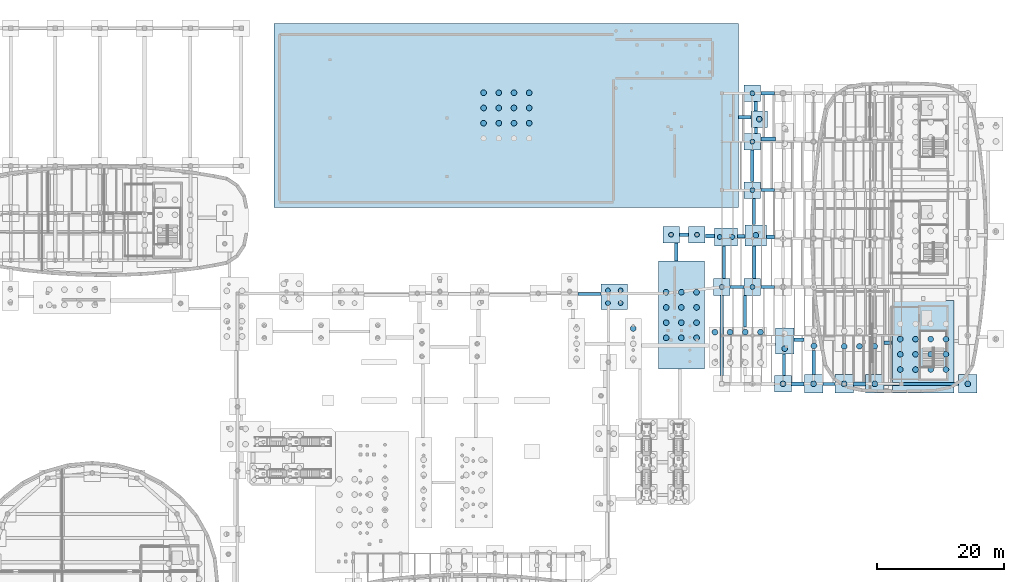
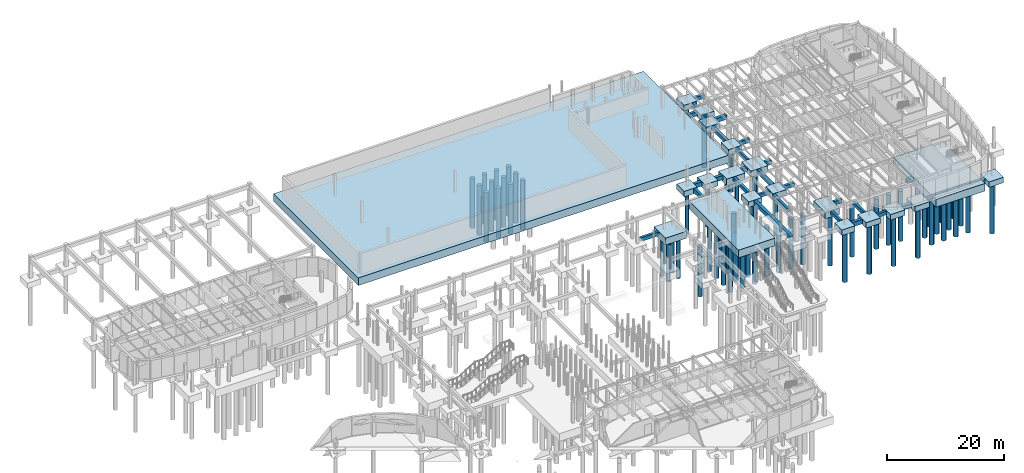
# One storey, part 6 of 45: 66 piles, 48 footings.
"""IFC4 building model written with IfcOpenShell, lengths in metres."""

from ifc_helpers import new_model, si_unit, direction, frame, origin, origin_2d, place, context, subcontext, project, spatial, rectangle, circle, extrude, material, material_profile, profile_set, type_object, element, save


model = new_model("IFC4")

# Units and contexts
model_context = context("Model", 3, precision=1e-05, world=origin(), true_north=direction((0.0, 1.0)))
body_context = subcontext(model_context, "Body", "Model", "MODEL_VIEW")
ifc_project = project(units=[si_unit("LENGTHUNIT", "METRE"), si_unit("AREAUNIT", "SQUARE_METRE"), si_unit("VOLUMEUNIT", "CUBIC_METRE"), si_unit("PLANEANGLEUNIT", "RADIAN"), si_unit("MASSUNIT", "GRAM", prefix="KILO")], contexts=[model_context])

# Site, building, storey
site_placement = place(None, origin())
site = spatial("IfcSite", under=ifc_project, at=site_placement, CompositionType="ELEMENT")
building_placement = place(site_placement, origin())
building = spatial("IfcBuilding", under=site, at=building_placement, Name="Corveleigh Park Community Centre", CompositionType="ELEMENT")
storey_placement = place(building_placement, frame((0.0, 0.0, -4.199951171875)))
storey = spatial("IfcBuildingStorey", under=building, at=storey_placement, Name="B1", CompositionType="ELEMENT", Elevation=-4.199951171875)

# Footings
ifc_material_1 = material(Name="Concrete C40/50", Category="concrete")
footing_type_1 = type_object("IfcFootingType", Name="FTG-GB-450x750", PredefinedType="FOOTING_BEAM", material=ifc_material_1)
footing_1_placement = place(storey_placement, frame((132.199951171875, 73.800048828125, -1.1650390625), z_axis=(0.0, 0.0, 1.0), x_axis=(1.0, 0.0, 0.0)))
element("IfcFooting", 1, at=footing_1_placement, inside=storey, type_object=footing_type_1, Name="Ground tie beam 153", PredefinedType="FOOTING_BEAM", context=body_context, shape_type="SweptSolid", body=[
    extrude(rectangle(XDim=2.159912109375, YDim=0.449951171875, at=origin_2d()), origin(), (0.0, 0.0, 1.0), 0.75),
])
footing_2_placement = place(storey_placement, frame((134.867919921875, 85.625, -1.1650390625), z_axis=(0.0, 0.0, 1.0), x_axis=(1.0, 0.0, 0.0)))
element("IfcFooting", 2, at=footing_2_placement, inside=storey, type_object=footing_type_1, Name="Ground tie beam 161", PredefinedType="FOOTING_BEAM", context=body_context, shape_type="SweptSolid", body=[
    extrude(rectangle(XDim=0.449951171875, YDim=4.110107421875, at=origin_2d()), origin(), (0.0, 0.0, 1.0), 0.75),
])
footing_3_placement = place(storey_placement, frame((135.136962890625, 98.367919921875, -1.1650390625), z_axis=(0.0, 0.0, 1.0), x_axis=(1.0, 0.0, 0.0)))
element("IfcFooting", 3, at=footing_3_placement, inside=storey, type_object=footing_type_1, Name="Ground tie beam 165", PredefinedType="FOOTING_BEAM", context=body_context, shape_type="SweptSolid", body=[
    extrude(rectangle(XDim=0.449951171875, YDim=0.89599609375, at=origin_2d()), origin(), (0.0, 0.0, 1.0), 0.75),
])
footing_4_placement = place(storey_placement, frame((139.535888671875, 61.5869140625, -1.1650390625), z_axis=(0.0, 0.0, 1.0), x_axis=(1.0, 0.0, 0.0)))
element("IfcFooting", 4, at=footing_4_placement, inside=storey, type_object=footing_type_1, Name="Ground tie beam 169", PredefinedType="FOOTING_BEAM", context=body_context, shape_type="SweptSolid", body=[
    extrude(rectangle(XDim=0.449951171875, YDim=3.333984375, at=origin_2d()), origin(), (0.0, 0.0, 1.0), 0.75),
])
footing_5_placement = place(storey_placement, frame((146.60009765625, 58.60009765625, -1.1650390625), z_axis=(0.0, 0.0, 1.0), x_axis=(1.0, 0.0, 0.0)))
element("IfcFooting", 5, at=footing_5_placement, inside=storey, type_object=footing_type_1, Name="Ground tie beam 181", PredefinedType="FOOTING_BEAM", context=body_context, shape_type="SweptSolid", body=[
    extrude(rectangle(XDim=1.860107421875, YDim=0.449951171875, at=origin_2d()), origin(), (0.0, 0.0, 1.0), 0.75),
])
footing_6_placement = place(storey_placement, frame((161.10009765625, 58.60009765625, -1.1650390625), z_axis=(0.0, 0.0, 1.0), x_axis=(1.0, 0.0, 0.0)))
element("IfcFooting", 6, at=footing_6_placement, inside=storey, type_object=footing_type_1, Name="Ground tie beam 205", PredefinedType="FOOTING_BEAM", context=body_context, shape_type="SweptSolid", body=[
    extrude(rectangle(XDim=11.659912109375, YDim=0.449951171875, at=origin_2d()), origin(), (0.0, 0.0, 1.0), 0.75),
])
footing_type_2 = type_object("IfcFootingType", Name="FTG-GB-500x800", PredefinedType="FOOTING_BEAM", material=ifc_material_1)
footing_7_placement = place(storey_placement, frame((109.033935546875, 72.68505859375, -1.21484375), z_axis=(0.0, 0.0, 1.0), x_axis=(1.0, 0.0, 0.0)))
element("IfcFooting", 7, at=footing_7_placement, inside=storey, type_object=footing_type_2, Name="Ground tie beam 126", PredefinedType="FOOTING_BEAM", context=body_context, shape_type="SweptSolid", body=[
    extrude(rectangle(XDim=3.591064453125, YDim=0.5, at=origin_2d()), origin(), (0.0, 0.0, 1.0), 0.800048828125),
])
footing_8_placement = place(storey_placement, frame((133.445068359375, 70.0, -1.21484375), z_axis=(0.0, 0.0, 1.0), x_axis=(1.0, 0.0, 0.0)))
element("IfcFooting", 8, at=footing_8_placement, inside=storey, type_object=footing_type_2, Name="Ground tie beam 150", PredefinedType="FOOTING_BEAM", context=body_context, shape_type="SweptSolid", body=[
    extrude(rectangle(XDim=0.5, YDim=4.9599609375, at=origin_2d()), origin(), (0.0, 0.0, 1.0), 0.800048828125),
])
footing_9_placement = place(storey_placement, frame((130.132080078125, 77.675048828125, -1.21484375), z_axis=(0.0, 0.0, 1.0), x_axis=(1.0, 0.0, 0.0)))
element("IfcFooting", 9, at=footing_9_placement, inside=storey, type_object=footing_type_2, Name="Ground tie beam 154", PredefinedType="FOOTING_BEAM", context=body_context, shape_type="SweptSolid", body=[
    extrude(rectangle(XDim=0.5, YDim=5.110107421875, at=origin_2d()), origin(), (0.0, 0.0, 1.0), 0.800048828125),
])
for number, where, z_axis, x_axis, name in (
    (10, (137.0, 73.800048828125, -1.21484375), (0.0, 0.0, 1.0), (1.0, 0.0, 0.0), "Ground tie beam 158"),
    (11, (137.0, 89.0, -1.21484375), (0.0, 0.0, 1.0), (1.0, 0.0, 0.0), "Ground tie beam 162"),
    (12, (137.0, 104.199951171875, -1.21484375), (0.0, 0.0, 1.0), (1.0, 0.0, 0.0), "Ground tie beam 166"),
):
    element("IfcFooting", number, at=place(storey_placement, frame(where, z_axis=z_axis, x_axis=x_axis)), inside=storey, type_object=footing_type_2, Name=name, PredefinedType="FOOTING_BEAM", context=body_context, shape_type="SweptSolid", body=[
        extrude(rectangle(XDim=2.159912109375, YDim=0.5, at=origin_2d()), origin(), (0.0, 0.0, 1.0), 0.800048828125),
    ])
footing_10_placement = place(storey_placement, frame((141.9208984375, 65.52392578125, -1.21484375), z_axis=(0.0, 0.0, 1.0), x_axis=(1.0, 0.0, 0.0)))
element("IfcFooting", 13, at=footing_10_placement, inside=storey, type_object=footing_type_2, Name="Ground tie beam 170", PredefinedType="FOOTING_BEAM", context=body_context, shape_type="SweptSolid", body=[
    extrude(rectangle(XDim=1.617919921875, YDim=0.5, at=origin_2d()), origin(), (0.0, 0.0, 1.0), 0.800048828125),
])
footing_11_placement = place(storey_placement, frame((144.23193359375, 61.93701171875, -1.21484375), z_axis=(0.0, 0.0, 1.0), x_axis=(1.0, 0.0, 0.0)))
element("IfcFooting", 14, at=footing_11_placement, inside=storey, type_object=footing_type_2, Name="Ground tie beam 182", PredefinedType="FOOTING_BEAM", context=body_context, shape_type="SweptSolid", body=[
    extrude(rectangle(XDim=0.5, YDim=3.73291015625, at=origin_2d()), origin(), (0.0, 0.0, 1.0), 0.800048828125),
])
footing_12_placement = place(storey_placement, frame((155.89990234375, 65.048095703125, -1.21484375), z_axis=(0.0, 0.0, 1.0), x_axis=(1.0, 0.0, 0.0)))
element("IfcFooting", 15, at=footing_12_placement, inside=storey, type_object=footing_type_2, Name="Ground tie beam 198", PredefinedType="FOOTING_BEAM", context=body_context, shape_type="SweptSolid", body=[
    extrude(rectangle(XDim=1.259033203125, YDim=0.5, at=origin_2d()), origin(), (0.0, 0.0, 1.0), 0.800048828125),
])
footing_type_3 = type_object("IfcFootingType", Name="FTG-GB-550x850", PredefinedType="FOOTING_BEAM", material=ifc_material_1)
footing_13_placement = place(storey_placement, frame((133.40087890625, 100.41796875, -1.26513671875), z_axis=(0.0, 0.0, 1.0), x_axis=(1.0, 0.0, 0.0)))
element("IfcFooting", 16, at=footing_13_placement, inside=storey, type_object=footing_type_3, Name="Ground tie beam 75", PredefinedType="FOOTING_BEAM", context=body_context, shape_type="SweptSolid", body=[
    extrude(rectangle(XDim=1.905029296875, YDim=0.550048828125, at=origin_2d()), origin(), (0.0, 0.0, 1.0), 0.85009765625),
])
footing_14_placement = place(storey_placement, frame((122.64208984375, 79.27587890625, -1.26513671875), z_axis=(0.0, 0.0, 1.0), x_axis=(1.0, 0.0, 0.0)))
element("IfcFooting", 17, at=footing_14_placement, inside=storey, type_object=footing_type_3, Name="Ground tie beam 143", PredefinedType="FOOTING_BEAM", context=body_context, shape_type="SweptSolid", body=[
    extrude(rectangle(XDim=0.550048828125, YDim=2.81103515625, at=origin_2d()), origin(), (0.0, 0.0, 1.0), 0.85009765625),
])
footing_15_placement = place(storey_placement, frame((132.864013671875, 81.77490234375, -1.26513671875), z_axis=(0.0, 0.0, 1.0), x_axis=(1.0, 0.0, 0.0)))
element("IfcFooting", 18, at=footing_15_placement, inside=storey, type_object=footing_type_3, Name="Ground tie beam 155", PredefinedType="FOOTING_BEAM", context=body_context, shape_type="SweptSolid", body=[
    extrude(rectangle(XDim=1.131103515625, YDim=0.550048828125, at=origin_2d()), origin(), (0.0, 0.0, 1.0), 0.85009765625),
])
footing_16_placement = place(storey_placement, frame((134.867919921875, 77.675048828125, -1.26513671875), z_axis=(0.0, 0.0, 1.0), x_axis=(1.0, 0.0, 0.0)))
element("IfcFooting", 19, at=footing_16_placement, inside=storey, type_object=footing_type_3, Name="Ground tie beam 159", PredefinedType="FOOTING_BEAM", context=body_context, shape_type="SweptSolid", body=[
    extrude(rectangle(XDim=0.550048828125, YDim=5.110107421875, at=origin_2d()), origin(), (0.0, 0.0, 1.0), 0.85009765625),
])
footing_17_placement = place(storey_placement, frame((134.60009765625, 92.800048828125, -1.26513671875), z_axis=(0.0, 0.0, 1.0), x_axis=(1.0, 0.0, 0.0)))
element("IfcFooting", 20, at=footing_17_placement, inside=storey, type_object=footing_type_3, Name="Ground tie beam 163", PredefinedType="FOOTING_BEAM", context=body_context, shape_type="SweptSolid", body=[
    extrude(rectangle(XDim=0.550048828125, YDim=4.9599609375, at=origin_2d()), origin(), (0.0, 0.0, 1.0), 0.85009765625),
])
footing_18_placement = place(storey_placement, frame((135.136962890625, 102.16796875, -1.26513671875), z_axis=(0.0, 0.0, 1.0), x_axis=(1.0, 0.0, 0.0)))
element("IfcFooting", 21, at=footing_18_placement, inside=storey, type_object=footing_type_3, Name="Ground tie beam 167", PredefinedType="FOOTING_BEAM", context=body_context, shape_type="SweptSolid", body=[
    extrude(rectangle(XDim=0.550048828125, YDim=1.424072265625, at=origin_2d()), origin(), (0.0, 0.0, 1.0), 0.85009765625),
])
footing_type_4 = type_object("IfcFootingType", Name="FTG-GB-600x900", PredefinedType="FOOTING_BEAM", material=ifc_material_1)
footing_19_placement = place(storey_placement, frame((123.865966796875, 82.0009765625, -1.31494140625), z_axis=(0.0, 0.0, 1.0), x_axis=(1.0, 0.0, 0.0)))
element("IfcFooting", 22, at=footing_19_placement, inside=storey, type_object=footing_type_4, Name="Ground tie beam 144", PredefinedType="FOOTING_BEAM", context=body_context, shape_type="SweptSolid", body=[
    extrude(rectangle(XDim=1.419921875, YDim=0.60009765625, at=origin_2d()), origin(), (0.0, 0.0, 1.0), 0.89990234375),
])
footing_20_placement = place(storey_placement, frame((127.923095703125, 81.825927734375, -1.31494140625), z_axis=(0.0, 0.0, 1.0), x_axis=(1.0, 0.0, 0.0)))
element("IfcFooting", 23, at=footing_20_placement, inside=storey, type_object=footing_type_4, Name="Ground tie beam 148", PredefinedType="FOOTING_BEAM", context=body_context, shape_type="SweptSolid", body=[
    extrude(rectangle(XDim=1.4130859375, YDim=0.60009765625, at=origin_2d()), origin(), (0.0, 0.0, 1.0), 0.89990234375),
])
footing_21_placement = place(storey_placement, frame((129.800048828125, 66.199951171875, -1.31494140625), z_axis=(0.0, 0.0, 1.0), x_axis=(1.0, 0.0, 0.0)))
element("IfcFooting", 24, at=footing_21_placement, inside=storey, type_object=footing_type_4, Name="Ground tie beam 152", PredefinedType="FOOTING_BEAM", context=body_context, shape_type="SweptSolid", body=[
    extrude(rectangle(XDim=0.60009765625, YDim=12.56005859375, at=origin_2d()), origin(), (0.0, 0.0, 1.0), 0.89990234375),
])
footing_22_placement = place(storey_placement, frame((137.4619140625, 81.64990234375, -1.31494140625), z_axis=(0.0, 0.0, 1.0), x_axis=(1.0, 0.0, 0.0)))
element("IfcFooting", 25, at=footing_22_placement, inside=storey, type_object=footing_type_4, Name="Ground tie beam 160", PredefinedType="FOOTING_BEAM", context=body_context, shape_type="SweptSolid", body=[
    extrude(rectangle(XDim=1.236083984375, YDim=0.60009765625, at=origin_2d()), origin(), (0.0, 0.0, 1.0), 0.89990234375),
])
footing_23_placement = place(storey_placement, frame((137.074951171875, 97.0439453125, -1.31494140625), z_axis=(0.0, 0.0, 1.0), x_axis=(1.0, 0.0, 0.0)))
element("IfcFooting", 26, at=footing_23_placement, inside=storey, type_object=footing_type_4, Name="Ground tie beam 164", PredefinedType="FOOTING_BEAM", context=body_context, shape_type="SweptSolid", body=[
    extrude(rectangle(XDim=2.31005859375, YDim=0.60009765625, at=origin_2d()), origin(), (0.0, 0.0, 1.0), 0.89990234375),
])
footing_24_placement = place(storey_placement, frame((141.72509765625, 58.60009765625, -1.31494140625), z_axis=(0.0, 0.0, 1.0), x_axis=(1.0, 0.0, 0.0)))
element("IfcFooting", 27, at=footing_24_placement, inside=storey, type_object=footing_type_4, Name="Ground tie beam 168", PredefinedType="FOOTING_BEAM", context=body_context, shape_type="SweptSolid", body=[
    extrude(rectangle(XDim=2.010009765625, YDim=0.60009765625, at=origin_2d()), origin(), (0.0, 0.0, 1.0), 0.89990234375),
])
footing_25_placement = place(storey_placement, frame((151.39990234375, 58.60009765625, -1.31494140625), z_axis=(0.0, 0.0, 1.0), x_axis=(1.0, 0.0, 0.0)))
element("IfcFooting", 28, at=footing_25_placement, inside=storey, type_object=footing_type_4, Name="Ground tie beam 196", PredefinedType="FOOTING_BEAM", context=body_context, shape_type="SweptSolid", body=[
    extrude(rectangle(XDim=1.860107421875, YDim=0.60009765625, at=origin_2d()), origin(), (0.0, 0.0, 1.0), 0.89990234375),
])
footing_type_5 = type_object("IfcFootingType", Name="FTG-PC-2600x2600x1150", PredefinedType="PILE_CAP", material=ifc_material_1)
for number, where, z_axis, x_axis, name in (
    (29, (121.8359375, 82.0009765625, -1.56494140625), (0.0, 0.0, 1.0), (1.0, 0.0, 0.0), "Pile cap 117"),
    (30, (125.89599609375, 82.0009765625, -1.56494140625), (0.0, 0.0, 1.0), (1.0, 0.0, 0.0), "Pile cap 121"),
    (31, (129.800048828125, 73.800048828125, -1.56494140625), (0.0, 0.0, 1.0), (1.0, 0.0, 0.0), "Pile cap 124"),
    (32, (134.60009765625, 73.800048828125, -1.56494140625), (0.0, 0.0, 1.0), (1.0, 0.0, 0.0), "Pile cap 127"),
    (33, (134.60009765625, 89.0, -1.56494140625), (0.0, 0.0, 1.0), (1.0, 0.0, 0.0), "Pile cap 129"),
    (34, (134.60009765625, 96.60009765625, -1.56494140625), (0.0, 0.0, 1.0), (1.0, 0.0, 0.0), "Pile cap 130"),
    (35, (134.60009765625, 104.199951171875, -1.56494140625), (0.0, 0.0, 1.0), (1.0, 0.0, 0.0), "Pile cap 131"),
    (36, (135.674072265625, 100.135986328125, -1.56494140625), (0.0, 0.0, 1.0), (1.0, 0.0, 0.0), "Pile cap 132"),
    (37, (139.39990234375, 58.60009765625, -1.56494140625), (0.0, 0.0, 1.0), (1.0, 0.0, 0.0), "Pile cap 133"),
):
    element("IfcFooting", number, at=place(storey_placement, frame(where, z_axis=z_axis, x_axis=x_axis)), inside=storey, type_object=footing_type_5, Name=name, PredefinedType="PILE_CAP", context=body_context, shape_type="SweptSolid", body=[
        extrude(rectangle(XDim=2.60009765625, YDim=2.60009765625, at=origin_2d()), origin(), (0.0, 0.0, 1.0), 1.14990234375),
    ])
for number, where, z_axis, x_axis, name in (
    (38, (144.199951171875, 58.60009765625, -1.56494140625), (0.0, 0.0, 1.0), (1.0, 0.0, 0.0), "Pile cap 140"),
    (39, (149.0, 58.60009765625, -1.56494140625), (0.0, 0.0, 1.0), (1.0, 0.0, 0.0), "Pile cap 148"),
    (40, (153.800048828125, 58.60009765625, -1.56494140625), (0.0, 0.0, 1.0), (1.0, 0.0, 0.0), "Pile cap 154"),
    (41, (168.39990234375, 58.60009765625, -1.56494140625), (0.0, 0.0, 1.0), (1.0, 0.0, 0.0), "Pile cap 162"),
):
    element("IfcFooting", number, at=place(storey_placement, frame(where, z_axis=z_axis, x_axis=x_axis)), inside=storey, type_object=footing_type_5, Name=name, PredefinedType="PILE_CAP", context=body_context, shape_type="SweptSolid", body=[
        extrude(rectangle(XDim=2.89990234375, YDim=2.89990234375, at=origin_2d()), origin(), (0.0, 0.0, 1.0), 1.14990234375),
    ])
footing_type_6 = type_object("IfcFootingType", Name="FTG-PC-3200x3200x1300", PredefinedType="PILE_CAP", material=ifc_material_1)
footing_26_placement = place(storey_placement, frame((135.136962890625, 81.89990234375, -1.71484375), z_axis=(0.0, 0.0, 1.0), x_axis=(1.0, 0.0, 0.0)))
element("IfcFooting", 42, at=footing_26_placement, inside=storey, type_object=footing_type_6, Name="Pile cap 128", PredefinedType="PILE_CAP", context=body_context, shape_type="SweptSolid", body=[
    extrude(rectangle(XDim=3.3740234375, YDim=3.300048828125, at=origin_2d()), origin(), (0.0, 0.0, 1.0), 1.300048828125),
])
footing_type_7 = type_object("IfcFootingType", Name="FTG-PC-3800x3200x1350", PredefinedType="PILE_CAP", material=ifc_material_1)
footing_27_placement = place(storey_placement, frame((130.464111328125, 81.64990234375, -1.76513671875), z_axis=(0.0, 0.0, 1.0), x_axis=(1.0, 0.0, 0.0)))
element("IfcFooting", 43, at=footing_27_placement, inside=storey, type_object=footing_type_7, Name="Pile cap 125", PredefinedType="PILE_CAP", context=body_context, shape_type="SweptSolid", body=[
    extrude(rectangle(XDim=3.62890625, YDim=2.800048828125, at=origin_2d()), origin(), (0.0, 0.0, 1.0), 1.35009765625),
])
footing_28_placement = place(storey_placement, frame((139.6708984375, 65.31201171875, -1.76513671875), z_axis=(0.0, 0.0, 1.0), x_axis=(1.0, 0.0, 0.0)))
element("IfcFooting", 44, at=footing_28_placement, inside=storey, type_object=footing_type_7, Name="Pile cap 134", PredefinedType="PILE_CAP", context=body_context, shape_type="SweptSolid", body=[
    extrude(rectangle(XDim=2.841064453125, YDim=4.075927734375, at=origin_2d()), origin(), (0.0, 0.0, 1.0), 1.35009765625),
])
footing_type_8 = type_object("IfcFootingType", Name="FTG-PC-5600x3800x1450", PredefinedType="PILE_CAP", material=ifc_material_1)
footing_29_placement = place(storey_placement, frame((112.925048828125, 72.26708984375, -1.865234375), z_axis=(0.0, 0.0, 1.0), x_axis=(1.0, 0.0, 0.0)))
element("IfcFooting", 45, at=footing_29_placement, inside=storey, type_object=footing_type_8, Name="Pile cap 111", PredefinedType="PILE_CAP", context=body_context, shape_type="SweptSolid", body=[
    extrude(rectangle(XDim=4.14990234375, YDim=3.970947265625, at=origin_2d()), origin(), (0.0, 0.0, 1.0), 1.449951171875),
])
footing_type_9 = type_object("IfcFootingType", Name="FTG-PC-9800x7200x1600", PredefinedType="PILE_CAP", material=ifc_material_1)
footing_30_placement = place(storey_placement, frame((95.989013671875, 100.699951171875, -2.01513671875), z_axis=(0.0, 0.0, 1.0), x_axis=(1.0, 0.0, 0.0)))
element("IfcFooting", 46, at=footing_30_placement, inside=storey, type_object=footing_type_9, Name="Pile cap 63", PredefinedType="PILE_CAP", context=body_context, shape_type="SweptSolid", body=[
    extrude(rectangle(XDim=72.87890625, YDim=28.89990234375, at=origin_2d()), origin(), (0.0, 0.0, 1.0), 1.60009765625),
])
footing_31_placement = place(storey_placement, frame((123.447998046875, 69.39990234375, -2.01513671875), z_axis=(0.0, 0.0, 1.0), x_axis=(1.0, 0.0, 0.0)))
element("IfcFooting", 47, at=footing_31_placement, inside=storey, type_object=footing_type_9, Name="Pile cap 116", PredefinedType="PILE_CAP", context=body_context, shape_type="SweptSolid", body=[
    extrude(rectangle(XDim=7.196044921875, YDim=16.89990234375, at=origin_2d()), origin(), (0.0, 0.0, 1.0), 1.60009765625),
])
footing_32_placement = place(storey_placement, frame((161.386962890625, 64.425048828125, -2.01513671875), z_axis=(0.0, 0.0, 1.0), x_axis=(1.0, 0.0, 0.0)))
element("IfcFooting", 48, at=footing_32_placement, inside=storey, type_object=footing_type_9, Name="Pile cap 159", PredefinedType="PILE_CAP", context=body_context, shape_type="SweptSolid", body=[
    extrude(rectangle(XDim=9.675048828125, YDim=14.550048828125, at=origin_2d()), origin(), (0.0, 0.0, 1.0), 1.60009765625),
])

# Piles
ifc_material_2 = material(Name="Concrete C32/40", Category="concrete")
ifc_material_profile_1 = material_profile(ifc_material_2, circle(Radius=0.375, at=origin_2d()), Name="BORED-PILE-750", Category="concrete")
ifc_profile_set_1 = profile_set([ifc_material_profile_1], Name="Concrete C32/40")
pile_type_1 = type_object("IfcPileType", Name="PIL-BRD-750", PredefinedType="BORED", material=ifc_profile_set_1)
for number, where, z_axis, x_axis, name in (
    (49, (111.930908203125, 71.27294921875, -1.76513671875), (0.0, 0.0, -1.0), (1.0, 0.0, 0.0), "Rotary bored pile C111-1"),
    (50, (111.930908203125, 73.260009765625, -1.76513671875), (0.0, 0.0, -1.0), (1.0, 0.0, 0.0), "Rotary bored pile C111-2"),
    (51, (113.91796875, 71.27294921875, -1.76513671875), (0.0, 0.0, -1.0), (1.0, 0.0, 0.0), "Rotary bored pile C111-3"),
    (52, (113.91796875, 73.260009765625, -1.76513671875), (0.0, 0.0, -1.0), (1.0, 0.0, 0.0), "Rotary bored pile C111-4"),
):
    element("IfcPile", number, at=place(storey_placement, frame(where, z_axis=z_axis, x_axis=x_axis)), inside=storey, type_object=pile_type_1, Name=name, PredefinedType="BORED", context=body_context, shape_type="SweptSolid", body=[
        extrude(circle(Radius=0.375, at=origin_2d()), origin(), (0.0, 0.0, 1.0), 8.534912109375),
    ])
for number, where, z_axis, x_axis, name in (
    (53, (121.8359375, 82.0009765625, -1.465087890625), (0.0, 0.0, -1.0), (1.0, 0.0, 0.0), "Rotary bored pile C117-1"),
    (54, (125.89599609375, 82.0009765625, -1.465087890625), (0.0, 0.0, -1.0), (1.0, 0.0, 0.0), "Rotary bored pile C121-1"),
    (55, (129.800048828125, 73.800048828125, -1.465087890625), (0.0, 0.0, -1.0), (1.0, 0.0, 0.0), "Rotary bored pile C124-1"),
):
    element("IfcPile", number, at=place(storey_placement, frame(where, z_axis=z_axis, x_axis=x_axis)), inside=storey, type_object=pile_type_1, Name=name, PredefinedType="BORED", context=body_context, shape_type="SweptSolid", body=[
        extrude(circle(Radius=0.375, at=origin_2d()), origin(), (0.0, 0.0, 1.0), 8.8349609375),
    ])
for number, where, z_axis, x_axis, name in (
    (56, (129.469970703125, 81.64990234375, -1.6650390625), (0.0, 0.0, -1.0), (1.0, 0.0, 0.0), "Rotary bored pile C125-1"),
    (57, (131.45703125, 81.64990234375, -1.6650390625), (0.0, 0.0, -1.0), (1.0, 0.0, 0.0), "Rotary bored pile C125-2"),
):
    element("IfcPile", number, at=place(storey_placement, frame(where, z_axis=z_axis, x_axis=x_axis)), inside=storey, type_object=pile_type_1, Name=name, PredefinedType="BORED", context=body_context, shape_type="SweptSolid", body=[
        extrude(circle(Radius=0.375, at=origin_2d()), origin(), (0.0, 0.0, 1.0), 8.635009765625),
    ])
for number, where, z_axis, x_axis, name in (
    (58, (134.60009765625, 73.800048828125, -1.465087890625), (0.0, 0.0, -1.0), (1.0, 0.0, 0.0), "Rotary bored pile C127-1"),
    (59, (134.60009765625, 89.0, -1.465087890625), (0.0, 0.0, -1.0), (1.0, 0.0, 0.0), "Rotary bored pile C129-1"),
    (60, (134.60009765625, 96.60009765625, -1.465087890625), (0.0, 0.0, -1.0), (1.0, 0.0, 0.0), "Rotary bored pile C130-1"),
    (61, (134.60009765625, 104.199951171875, -1.465087890625), (0.0, 0.0, -1.0), (1.0, 0.0, 0.0), "Rotary bored pile C131-1"),
):
    element("IfcPile", number, at=place(storey_placement, frame(where, z_axis=z_axis, x_axis=x_axis)), inside=storey, type_object=pile_type_1, Name=name, PredefinedType="BORED", context=body_context, shape_type="SweptSolid", body=[
        extrude(circle(Radius=0.375, at=origin_2d()), origin(), (0.0, 0.0, 1.0), 8.8349609375),
    ])
ifc_material_profile_2 = material_profile(ifc_material_2, circle(Radius=0.449951171875, at=origin_2d()), Name="BORED-PILE-900", Category="concrete")
ifc_profile_set_2 = profile_set([ifc_material_profile_2], Name="Concrete C32/40")
pile_type_2 = type_object("IfcPileType", Name="PIL-BRD-900", PredefinedType="BORED", material=ifc_profile_set_2)
for number, where, z_axis, x_axis, name in (
    (62, (92.412109375, 99.508056640625, -1.9150390625), (0.0, 0.0, -1.0), (1.0, 0.0, 0.0), "Rotary bored pile C63-2"),
    (63, (92.412109375, 101.89208984375, -1.9150390625), (0.0, 0.0, -1.0), (1.0, 0.0, 0.0), "Rotary bored pile C63-3"),
    (64, (92.412109375, 104.278076171875, -1.9150390625), (0.0, 0.0, -1.0), (1.0, 0.0, 0.0), "Rotary bored pile C63-4"),
    (65, (94.797119140625, 99.508056640625, -1.9150390625), (0.0, 0.0, -1.0), (1.0, 0.0, 0.0), "Rotary bored pile C63-6"),
    (66, (94.797119140625, 101.89208984375, -1.9150390625), (0.0, 0.0, -1.0), (1.0, 0.0, 0.0), "Rotary bored pile C63-7"),
    (67, (94.797119140625, 104.278076171875, -1.9150390625), (0.0, 0.0, -1.0), (1.0, 0.0, 0.0), "Rotary bored pile C63-8"),
    (68, (97.180908203125, 99.508056640625, -1.9150390625), (0.0, 0.0, -1.0), (1.0, 0.0, 0.0), "Rotary bored pile C63-10"),
    (69, (97.180908203125, 101.89208984375, -1.9150390625), (0.0, 0.0, -1.0), (1.0, 0.0, 0.0), "Rotary bored pile C63-11"),
    (70, (97.180908203125, 104.278076171875, -1.9150390625), (0.0, 0.0, -1.0), (1.0, 0.0, 0.0), "Rotary bored pile C63-12"),
    (71, (99.56689453125, 99.508056640625, -1.9150390625), (0.0, 0.0, -1.0), (1.0, 0.0, 0.0), "Rotary bored pile C63-14"),
    (72, (99.56689453125, 101.89208984375, -1.9150390625), (0.0, 0.0, -1.0), (1.0, 0.0, 0.0), "Rotary bored pile C63-15"),
    (73, (99.56689453125, 104.278076171875, -1.9150390625), (0.0, 0.0, -1.0), (1.0, 0.0, 0.0), "Rotary bored pile C63-16"),
):
    element("IfcPile", number, at=place(storey_placement, frame(where, z_axis=z_axis, x_axis=x_axis)), inside=storey, type_object=pile_type_2, Name=name, PredefinedType="BORED", context=body_context, shape_type="SweptSolid", body=[
        extrude(circle(Radius=0.449951171875, at=origin_2d()), origin(), (0.0, 0.0, 1.0), 10.385009765625),
    ])
pile_1_placement = place(storey_placement, frame((115.89990234375, 67.284912109375, -1.864990234375), z_axis=(0.0, 0.0, -1.0), x_axis=(1.0, 0.0, 0.0)))
element("IfcPile", 74, at=pile_1_placement, inside=storey, type_object=pile_type_2, Name="Rotary bored pile C112-3", PredefinedType="BORED", context=body_context, shape_type="SweptSolid", body=[
    extrude(circle(Radius=0.449951171875, at=origin_2d()), origin(), (0.0, 0.0, 1.0), 10.43505859375),
])
for number, where, z_axis, x_axis, name in (
    (75, (121.06298828125, 65.822998046875, -1.9150390625), (0.0, 0.0, -1.0), (1.0, 0.0, 0.0), "Rotary bored pile C116-1"),
    (76, (121.06298828125, 68.2080078125, -1.9150390625), (0.0, 0.0, -1.0), (1.0, 0.0, 0.0), "Rotary bored pile C116-2"),
    (77, (121.06298828125, 70.593017578125, -1.9150390625), (0.0, 0.0, -1.0), (1.0, 0.0, 0.0), "Rotary bored pile C116-3"),
    (78, (121.06298828125, 72.97802734375, -1.9150390625), (0.0, 0.0, -1.0), (1.0, 0.0, 0.0), "Rotary bored pile C116-4"),
    (79, (123.447998046875, 65.822998046875, -1.9150390625), (0.0, 0.0, -1.0), (1.0, 0.0, 0.0), "Rotary bored pile C116-5"),
    (80, (123.447998046875, 68.2080078125, -1.9150390625), (0.0, 0.0, -1.0), (1.0, 0.0, 0.0), "Rotary bored pile C116-6"),
    (81, (123.447998046875, 70.593017578125, -1.9150390625), (0.0, 0.0, -1.0), (1.0, 0.0, 0.0), "Rotary bored pile C116-7"),
    (82, (123.447998046875, 72.97802734375, -1.9150390625), (0.0, 0.0, -1.0), (1.0, 0.0, 0.0), "Rotary bored pile C116-8"),
    (83, (125.8330078125, 65.822998046875, -1.9150390625), (0.0, 0.0, -1.0), (1.0, 0.0, 0.0), "Rotary bored pile C116-9"),
    (84, (125.8330078125, 68.2080078125, -1.9150390625), (0.0, 0.0, -1.0), (1.0, 0.0, 0.0), "Rotary bored pile C116-10"),
    (85, (125.8330078125, 70.593017578125, -1.9150390625), (0.0, 0.0, -1.0), (1.0, 0.0, 0.0), "Rotary bored pile C116-11"),
    (86, (125.8330078125, 72.97802734375, -1.9150390625), (0.0, 0.0, -1.0), (1.0, 0.0, 0.0), "Rotary bored pile C116-12"),
    (87, (128.714111328125, 66.717041015625, -1.9150390625), (0.0, 0.0, -1.0), (1.0, 0.0, 0.0), "Rotary bored pile C122-3"),
    (88, (131.09912109375, 66.717041015625, -1.9150390625), (0.0, 0.0, -1.0), (1.0, 0.0, 0.0), "Rotary bored pile C122-6"),
    (89, (133.48388671875, 66.717041015625, -1.9150390625), (0.0, 0.0, -1.0), (1.0, 0.0, 0.0), "Rotary bored pile C122-9"),
    (90, (135.868896484375, 66.717041015625, -1.9150390625), (0.0, 0.0, -1.0), (1.0, 0.0, 0.0), "Rotary bored pile C122-12"),
):
    element("IfcPile", number, at=place(storey_placement, frame(where, z_axis=z_axis, x_axis=x_axis)), inside=storey, type_object=pile_type_2, Name=name, PredefinedType="BORED", context=body_context, shape_type="SweptSolid", body=[
        extrude(circle(Radius=0.449951171875, at=origin_2d()), origin(), (0.0, 0.0, 1.0), 10.385009765625),
    ])
pile_2_placement = place(storey_placement, frame((135.136962890625, 81.89990234375, -1.614990234375), z_axis=(0.0, 0.0, -1.0), x_axis=(1.0, 0.0, 0.0)))
element("IfcPile", 91, at=pile_2_placement, inside=storey, type_object=pile_type_2, Name="Rotary bored pile C128-1", PredefinedType="BORED", context=body_context, shape_type="SweptSolid", body=[
    extrude(circle(Radius=0.449951171875, at=origin_2d()), origin(), (0.0, 0.0, 1.0), 10.68505859375),
])
for number, where, z_axis, x_axis, name in (
    (92, (135.674072265625, 100.135986328125, -1.465087890625), (0.0, 0.0, -1.0), (1.0, 0.0, 0.0), "Rotary bored pile C132-1"),
    (93, (139.39990234375, 58.60009765625, -1.465087890625), (0.0, 0.0, -1.0), (1.0, 0.0, 0.0), "Rotary bored pile C133-1"),
):
    element("IfcPile", number, at=place(storey_placement, frame(where, z_axis=z_axis, x_axis=x_axis)), inside=storey, type_object=pile_type_2, Name=name, PredefinedType="BORED", context=body_context, shape_type="SweptSolid", body=[
        extrude(circle(Radius=0.449951171875, at=origin_2d()), origin(), (0.0, 0.0, 1.0), 10.8349609375),
    ])
pile_3_placement = place(storey_placement, frame((139.6708984375, 64.1201171875, -1.6650390625), z_axis=(0.0, 0.0, -1.0), x_axis=(1.0, 0.0, 0.0)))
element("IfcPile", 94, at=pile_3_placement, inside=storey, type_object=pile_type_2, Name="Rotary bored pile C134-1", PredefinedType="BORED", context=body_context, shape_type="SweptSolid", body=[
    extrude(circle(Radius=0.449951171875, at=origin_2d()), origin(), (0.0, 0.0, 1.0), 10.635009765625),
])
pile_4_placement = place(storey_placement, frame((144.199951171875, 58.60009765625, -1.465087890625), z_axis=(0.0, 0.0, -1.0), x_axis=(1.0, 0.0, 0.0)))
element("IfcPile", 95, at=pile_4_placement, inside=storey, type_object=pile_type_2, Name="Rotary bored pile C140-1", PredefinedType="BORED", context=body_context, shape_type="SweptSolid", body=[
    extrude(circle(Radius=0.449951171875, at=origin_2d()), origin(), (0.0, 0.0, 1.0), 10.8349609375),
])
pile_5_placement = place(storey_placement, frame((144.263916015625, 64.5439453125, -1.6650390625), z_axis=(0.0, 0.0, -1.0), x_axis=(1.0, 0.0, 0.0)))
element("IfcPile", 96, at=pile_5_placement, inside=storey, type_object=pile_type_2, Name="Rotary bored pile C141-1", PredefinedType="BORED", context=body_context, shape_type="SweptSolid", body=[
    extrude(circle(Radius=0.449951171875, at=origin_2d()), origin(), (0.0, 0.0, 1.0), 10.635009765625),
])
pile_6_placement = place(storey_placement, frame((149.0, 58.60009765625, -1.465087890625), z_axis=(0.0, 0.0, -1.0), x_axis=(1.0, 0.0, 0.0)))
element("IfcPile", 97, at=pile_6_placement, inside=storey, type_object=pile_type_2, Name="Rotary bored pile C148-1", PredefinedType="BORED", context=body_context, shape_type="SweptSolid", body=[
    extrude(circle(Radius=0.449951171875, at=origin_2d()), origin(), (0.0, 0.0, 1.0), 10.8349609375),
])
for number, where, z_axis, x_axis, name in (
    (98, (149.014892578125, 64.47998046875, -1.864990234375), (0.0, 0.0, -1.0), (1.0, 0.0, 0.0), "Rotary bored pile C149-1"),
    (99, (151.39990234375, 64.47998046875, -1.864990234375), (0.0, 0.0, -1.0), (1.0, 0.0, 0.0), "Rotary bored pile C149-3"),
    (100, (153.784912109375, 64.47998046875, -1.864990234375), (0.0, 0.0, -1.0), (1.0, 0.0, 0.0), "Rotary bored pile C149-5"),
):
    element("IfcPile", number, at=place(storey_placement, frame(where, z_axis=z_axis, x_axis=x_axis)), inside=storey, type_object=pile_type_2, Name=name, PredefinedType="BORED", context=body_context, shape_type="SweptSolid", body=[
        extrude(circle(Radius=0.449951171875, at=origin_2d()), origin(), (0.0, 0.0, 1.0), 10.43505859375),
    ])
pile_7_placement = place(storey_placement, frame((153.800048828125, 58.60009765625, -1.465087890625), z_axis=(0.0, 0.0, -1.0), x_axis=(1.0, 0.0, 0.0)))
element("IfcPile", 101, at=pile_7_placement, inside=storey, type_object=pile_type_2, Name="Rotary bored pile C154-1", PredefinedType="BORED", context=body_context, shape_type="SweptSolid", body=[
    extrude(circle(Radius=0.449951171875, at=origin_2d()), origin(), (0.0, 0.0, 1.0), 10.8349609375),
])
for number, where, z_axis, x_axis, name in (
    (102, (157.81005859375, 60.846923828125, -1.9150390625), (0.0, 0.0, -1.0), (1.0, 0.0, 0.0), "Rotary bored pile C159-1"),
    (103, (157.81005859375, 63.23193359375, -1.9150390625), (0.0, 0.0, -1.0), (1.0, 0.0, 0.0), "Rotary bored pile C159-2"),
    (104, (157.81005859375, 65.616943359375, -1.9150390625), (0.0, 0.0, -1.0), (1.0, 0.0, 0.0), "Rotary bored pile C159-3"),
    (105, (160.195068359375, 60.846923828125, -1.9150390625), (0.0, 0.0, -1.0), (1.0, 0.0, 0.0), "Rotary bored pile C159-5"),
    (106, (160.195068359375, 63.23193359375, -1.9150390625), (0.0, 0.0, -1.0), (1.0, 0.0, 0.0), "Rotary bored pile C159-6"),
    (107, (160.195068359375, 65.616943359375, -1.9150390625), (0.0, 0.0, -1.0), (1.0, 0.0, 0.0), "Rotary bored pile C159-7"),
    (108, (162.580078125, 60.846923828125, -1.9150390625), (0.0, 0.0, -1.0), (1.0, 0.0, 0.0), "Rotary bored pile C159-9"),
    (109, (162.580078125, 63.23193359375, -1.9150390625), (0.0, 0.0, -1.0), (1.0, 0.0, 0.0), "Rotary bored pile C159-10"),
    (110, (162.580078125, 65.616943359375, -1.9150390625), (0.0, 0.0, -1.0), (1.0, 0.0, 0.0), "Rotary bored pile C159-11"),
    (111, (164.965087890625, 60.846923828125, -1.9150390625), (0.0, 0.0, -1.0), (1.0, 0.0, 0.0), "Rotary bored pile C159-13"),
    (112, (164.965087890625, 63.23193359375, -1.9150390625), (0.0, 0.0, -1.0), (1.0, 0.0, 0.0), "Rotary bored pile C159-14"),
    (113, (164.965087890625, 65.616943359375, -1.9150390625), (0.0, 0.0, -1.0), (1.0, 0.0, 0.0), "Rotary bored pile C159-15"),
):
    element("IfcPile", number, at=place(storey_placement, frame(where, z_axis=z_axis, x_axis=x_axis)), inside=storey, type_object=pile_type_2, Name=name, PredefinedType="BORED", context=body_context, shape_type="SweptSolid", body=[
        extrude(circle(Radius=0.449951171875, at=origin_2d()), origin(), (0.0, 0.0, 1.0), 10.385009765625),
    ])
pile_8_placement = place(storey_placement, frame((168.39990234375, 58.60009765625, -1.465087890625), z_axis=(0.0, 0.0, -1.0), x_axis=(1.0, 0.0, 0.0)))
element("IfcPile", 114, at=pile_8_placement, inside=storey, type_object=pile_type_2, Name="Rotary bored pile C162-1", PredefinedType="BORED", context=body_context, shape_type="SweptSolid", body=[
    extrude(circle(Radius=0.449951171875, at=origin_2d()), origin(), (0.0, 0.0, 1.0), 10.8349609375),
])

save(model, "model.ifc")
